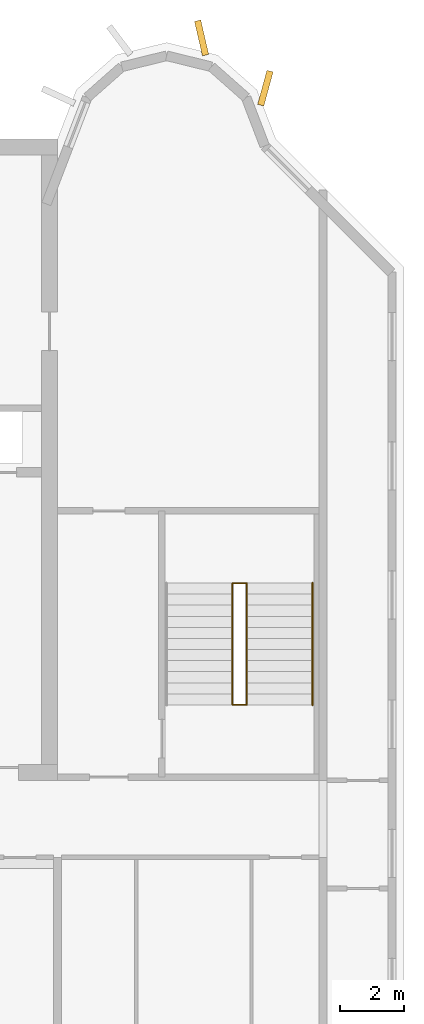
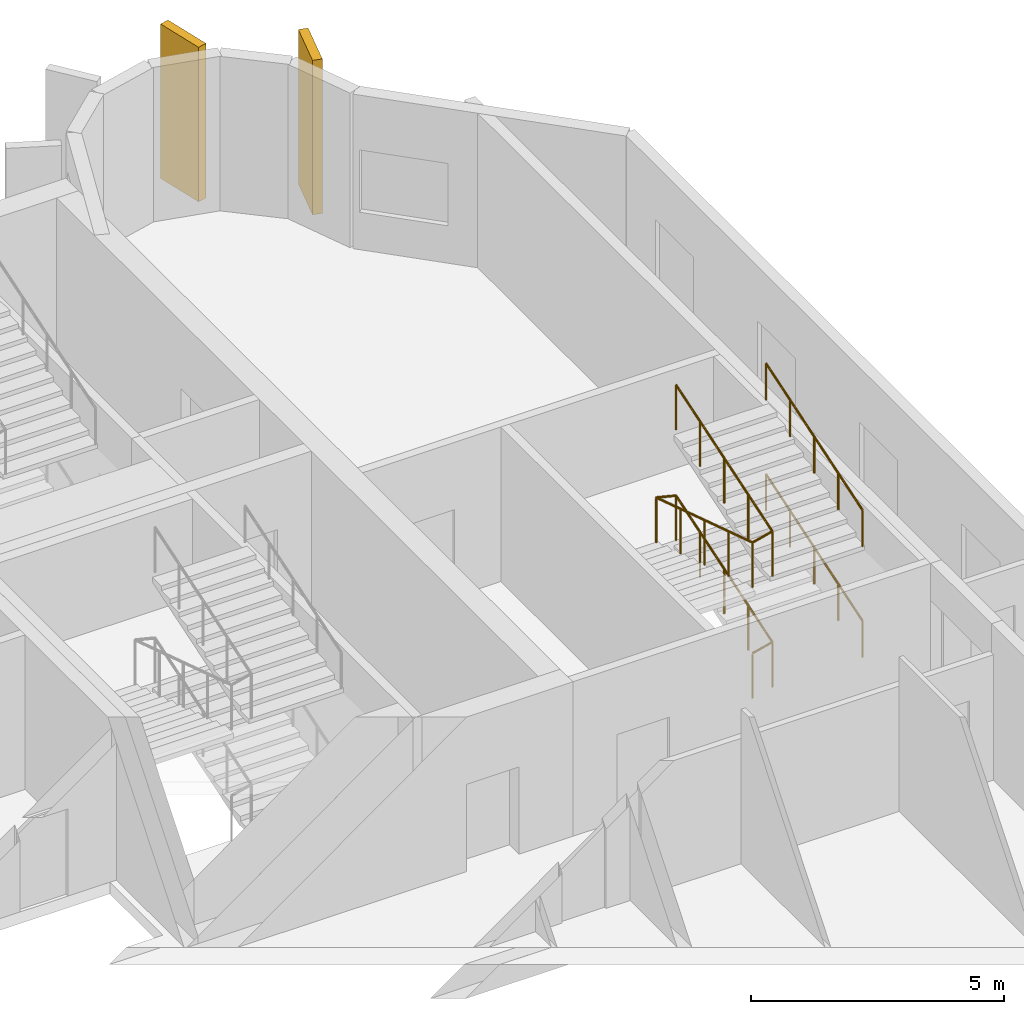
# One storey, part 11 of 12: 3 railings, 2 coverings.
"""IFC4 building model written with IfcOpenShell, lengths in metres."""

from ifc_helpers import new_model, si_unit, direction, frame, origin, origin_2d, place, context, subcontext, project, spatial, rectangle, circle, extrude, source, transform, mapped, material, material_profile, profile_set, type_object, element, save


model = new_model("IFC4")

# Units and contexts
model_context = context("Model", 3, precision=1e-05, world=origin(), true_north=direction((0.0, 1.0)))
body_context = subcontext(model_context, "Body", "Model", "MODEL_VIEW")
ifc_project = project(units=[si_unit("LENGTHUNIT", "METRE"), si_unit("AREAUNIT", "SQUARE_METRE"), si_unit("VOLUMEUNIT", "CUBIC_METRE"), si_unit("PLANEANGLEUNIT", "RADIAN"), si_unit("MASSUNIT", "GRAM", prefix="KILO")], contexts=[model_context])

# Site, building, storey
site_placement = place(None, origin())
site = spatial("IfcSite", under=ifc_project, at=site_placement, CompositionType="ELEMENT")
building_placement = place(site_placement, origin())
building = spatial("IfcBuilding", under=site, at=building_placement, Name="Vanashikhar Sky Hotel", CompositionType="ELEMENT")
storey_placement = place(building_placement, frame((0.0, 0.0, 297.699951171875)))
storey = spatial("IfcBuildingStorey", under=building, at=storey_placement, Name="L71", CompositionType="ELEMENT", Elevation=297.699951171875)

# Coverings
ifc_material_1 = material(Name="Concrete M60 dark", Category="concrete")
ifc_material_profile = material_profile(ifc_material_1, rectangle(XDim=1.10009765625, YDim=0.199951171875, at=origin_2d()))
ifc_profile_set = profile_set([ifc_material_profile], Name="Rear lobe fin 1100 x 200")
covering_type = type_object("IfcCoveringType", Name="Rear lobe fin 1100 x 200", PredefinedType="CLADDING", material=ifc_profile_set)
shared_shape_1 = source(origin(), body_context, "Body", "SweptSolid", [
    extrude(rectangle(XDim=1.10009765625, YDim=0.199951171875, at=origin_2d()), origin(), (0.0, 0.0, 1.0), 3.719970703125),
])
for number, where, z_axis, x_axis, name in (
    (1, (80.08984375, 45.1455078125, 0.0), (0.0, 0.0, 1.0), (-0.224644935864, 0.974440687159, 0.0), "Fin R2-3"),
    (2, (82.0791015625, 43.580078125, 0.0), (0.0, 0.0, 1.0), (0.262711264409, 0.964874495234, 0.0), "Fin R2-4"),
):
    element("IfcCovering", number, at=place(storey_placement, frame(where, z_axis=z_axis, x_axis=x_axis)), inside=storey, type_object=covering_type, Name=name, PredefinedType="CLADDING", context=body_context, shape_type="MappedRepresentation", body=[
        mapped(shared_shape_1, transform((0.0, 0.0, 0.0), scale=1.0)),
    ])

# Railings
ifc_material_2 = material(Name="Steel S355", Category="steel")
railing_type_1 = type_object("IfcRailingType", Name="Stair handrail 900", PredefinedType="HANDRAIL", material=ifc_material_2)
shared_shape_2 = source(origin(), body_context, "Body", "SweptSolid", [
    extrude(circle(Radius=0.02392578125, at=origin_2d()), frame((0.0, 0.0, 0.8759765625), z_axis=(0.0, 0.951969995293, 0.306191325908), x_axis=(-1.0, 0.0, 0.0)), (0.0, 0.0, 1.0), 3.991455078125),
    extrude(circle(Radius=0.02099609375, at=origin_2d()), origin(), (0.0, 0.0, 1.0), 0.851806640625),
    extrude(circle(Radius=0.02099609375, at=origin_2d()), frame((0.0, 0.949951171875, 0.3056640625)), (0.0, 0.0, 1.0), 0.851806640625),
    extrude(circle(Radius=0.02099609375, at=origin_2d()), frame((0.0, 1.89990234375, 0.611083984375)), (0.0, 0.0, 1.0), 0.851806640625),
    extrude(circle(Radius=0.02099609375, at=origin_2d()), frame((0.0, 2.849853515625, 0.91650390625)), (0.0, 0.0, 1.0), 0.851806640625),
    extrude(circle(Radius=0.02099609375, at=origin_2d()), frame((0.0, 3.7998046875, 1.22216796875)), (0.0, 0.0, 1.0), 0.851806640625),
])
railing_1_placement = place(storey_placement, frame((83.550048828125, 24.35009765625, 2.77783203125)))
element("IfcRailing", 3, at=railing_1_placement, inside=storey, type_object=railing_type_1, Name="Exit stair 4 handrail", PredefinedType="HANDRAIL", context=body_context, shape_type="MappedRepresentation", body=[
    mapped(shared_shape_2, transform((0.0, 0.0, 0.0), scale=1.0)),
])
railing_type_2 = type_object("IfcRailingType", Name="Stair guard 1100", PredefinedType="GUARDRAIL", material=ifc_material_2)
shared_shape_3 = source(origin(), body_context, "Body", "SweptSolid", [
    extrude(circle(Radius=0.02392578125, at=origin_2d()), frame((0.0, 0.0, 1.076171875), z_axis=(0.970851010584, 0.0, 0.239683781777), x_axis=(0.0, 1.0, 0.0)), (0.0, 0.0, 1.0), 0.46337890625),
    extrude(circle(Radius=0.02392578125, at=origin_2d()), frame((0.449951171875, 0.0, 1.18701171875), z_axis=(0.0, 0.951952165375, 0.306246754821), x_axis=(-1.0, 0.0, 0.0)), (0.0, 0.0, 1.0), 3.99169921875),
    extrude(circle(Radius=0.02392578125, at=origin_2d()), frame((0.449951171875, 3.7998046875, 2.40966796875), z_axis=(-0.970851010584, 0.0, 0.239683781777), x_axis=(0.0, -1.0, 0.0)), (0.0, 0.0, 1.0), 0.46337890625),
    extrude(circle(Radius=0.02392578125, at=origin_2d()), frame((0.0, 3.7998046875, 2.5205078125), z_axis=(0.0, -0.951969995293, 0.306191325908), x_axis=(1.0, 0.0, 0.0)), (0.0, 0.0, 1.0), 3.991455078125),
    extrude(circle(Radius=0.02392578125, at=origin_2d()), frame((0.0, 0.0, 3.74267578125), z_axis=(0.970851010584, 0.0, 0.239683781777), x_axis=(0.0, 1.0, 0.0)), (0.0, 0.0, 1.0), 0.46337890625),
    extrude(circle(Radius=0.02392578125, at=origin_2d()), frame((0.449951171875, 0.0, 3.85400390625), z_axis=(0.0, 0.951969995293, 0.306191325908), x_axis=(-1.0, 0.0, 0.0)), (0.0, 0.0, 1.0), 3.991455078125),
    extrude(circle(Radius=0.02099609375, at=origin_2d()), origin(), (0.0, 0.0, 1.0), 1.052001953125),
    extrude(circle(Radius=0.02099609375, at=origin_2d()), frame((0.449951171875, 0.0, 0.111083984375)), (0.0, 0.0, 1.0), 1.052001953125),
    extrude(circle(Radius=0.02099609375, at=origin_2d()), frame((0.449951171875, 0.949951171875, 0.416748046875)), (0.0, 0.0, 1.0), 1.052001953125),
    extrude(circle(Radius=0.02099609375, at=origin_2d()), frame((0.449951171875, 1.89990234375, 0.72216796875)), (0.0, 0.0, 1.0), 1.052001953125),
    extrude(circle(Radius=0.02099609375, at=origin_2d()), frame((0.449951171875, 2.849853515625, 1.02783203125)), (0.0, 0.0, 1.0), 1.052001953125),
    extrude(circle(Radius=0.02099609375, at=origin_2d()), frame((0.449951171875, 3.7998046875, 1.33349609375)), (0.0, 0.0, 1.0), 1.052001953125),
    extrude(circle(Radius=0.02099609375, at=origin_2d()), frame((0.0, 3.7998046875, 1.444580078125)), (0.0, 0.0, 1.0), 1.052001953125),
    extrude(circle(Radius=0.02099609375, at=origin_2d()), frame((0.0, 2.849853515625, 1.75)), (0.0, 0.0, 1.0), 1.052001953125),
    extrude(circle(Radius=0.02099609375, at=origin_2d()), frame((0.0, 1.89990234375, 2.0556640625)), (0.0, 0.0, 1.0), 1.052001953125),
    extrude(circle(Radius=0.02099609375, at=origin_2d()), frame((0.0, 0.949951171875, 2.361328125)), (0.0, 0.0, 1.0), 1.052001953125),
    extrude(circle(Radius=0.02099609375, at=origin_2d()), frame((0.0, 0.0, 2.666748046875)), (0.0, 0.0, 1.0), 1.052001953125),
    extrude(circle(Radius=0.02099609375, at=origin_2d()), frame((0.449951171875, 0.0, 2.77783203125)), (0.0, 0.0, 1.0), 1.052001953125),
    extrude(circle(Radius=0.02099609375, at=origin_2d()), frame((0.449951171875, 0.949951171875, 3.08349609375)), (0.0, 0.0, 1.0), 1.052001953125),
    extrude(circle(Radius=0.02099609375, at=origin_2d()), frame((0.449951171875, 1.89990234375, 3.388916015625)), (0.0, 0.0, 1.0), 1.052001953125),
    extrude(circle(Radius=0.02099609375, at=origin_2d()), frame((0.449951171875, 2.849853515625, 3.6943359375)), (0.0, 0.0, 1.0), 1.052001953125),
    extrude(circle(Radius=0.02099609375, at=origin_2d()), frame((0.449951171875, 3.7998046875, 4.0)), (0.0, 0.0, 1.0), 1.052001953125),
])
railing_2_placement = place(storey_placement, frame((81.050048828125, 24.35009765625, 0.0)))
element("IfcRailing", 4, at=railing_2_placement, inside=storey, type_object=railing_type_2, Name="Exit stair 4 guard", PredefinedType="GUARDRAIL", context=body_context, shape_type="MappedRepresentation", body=[
    mapped(shared_shape_3, transform((0.0, 0.0, 0.0), scale=1.0)),
])
shared_shape_4 = source(origin(), body_context, "Body", "SweptSolid", [
    extrude(circle(Radius=0.02392578125, at=origin_2d()), frame((0.0, 0.0, 0.8759765625), z_axis=(0.0, 0.951952165375, 0.306246754821), x_axis=(-1.0, 0.0, 0.0)), (0.0, 0.0, 1.0), 3.99169921875),
    extrude(circle(Radius=0.02099609375, at=origin_2d()), origin(), (0.0, 0.0, 1.0), 0.851806640625),
    extrude(circle(Radius=0.02099609375, at=origin_2d()), frame((0.0, 0.949951171875, 0.3056640625)), (0.0, 0.0, 1.0), 0.851806640625),
    extrude(circle(Radius=0.02099609375, at=origin_2d()), frame((0.0, 1.89990234375, 0.611328125)), (0.0, 0.0, 1.0), 0.851806640625),
    extrude(circle(Radius=0.02099609375, at=origin_2d()), frame((0.0, 2.849853515625, 0.916748046875)), (0.0, 0.0, 1.0), 0.851806640625),
    extrude(circle(Radius=0.02099609375, at=origin_2d()), frame((0.0, 3.7998046875, 1.222412109375)), (0.0, 0.0, 1.0), 0.851806640625),
])
railing_3_placement = place(storey_placement, frame((83.550048828125, 24.35009765625, 0.111083984375)))
element("IfcRailing", 5, at=railing_3_placement, inside=storey, type_object=railing_type_1, Name="Exit stair 4 handrail", PredefinedType="HANDRAIL", context=body_context, shape_type="MappedRepresentation", body=[
    mapped(shared_shape_4, transform((0.0, 0.0, 0.0), scale=1.0)),
])

save(model, "model.ifc")
